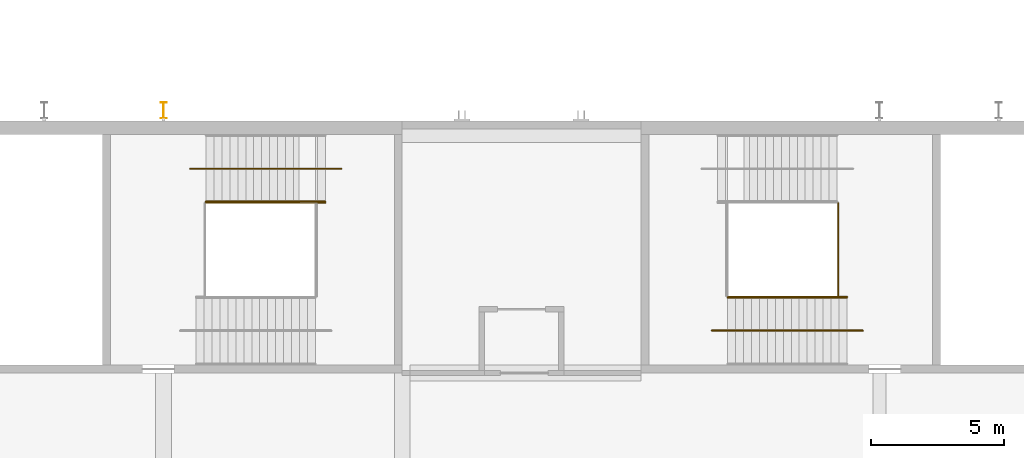
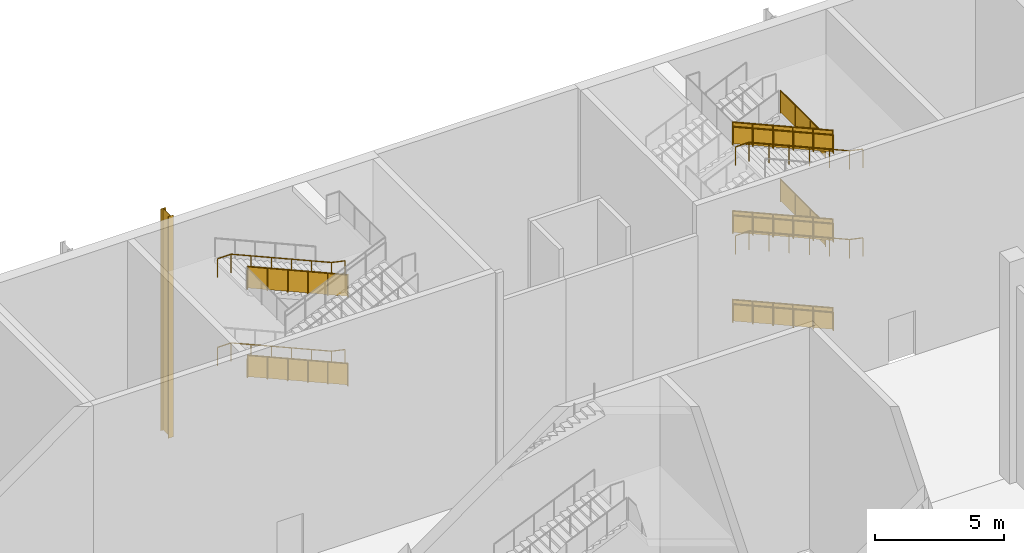
# One storey, part 176 of 182: 16 railings, 1 shading device.
"""IFC4 building model written with IfcOpenShell, lengths in metres."""

from ifc_helpers import new_model, si_unit, direction, frame, origin, origin_2d, place, context, subcontext, project, spatial, polyline, circle, i_section, outline, extrude, material, material_profile, profile_set, type_object, element, save


model = new_model("IFC4")

# Units and contexts
model_context = context("Model", 3, precision=1e-05, world=origin(), true_north=direction((0.0, 1.0)))
body_context = subcontext(model_context, "Body", "Model", "MODEL_VIEW")
ifc_project = project(units=[si_unit("LENGTHUNIT", "METRE"), si_unit("AREAUNIT", "SQUARE_METRE"), si_unit("VOLUMEUNIT", "CUBIC_METRE"), si_unit("PLANEANGLEUNIT", "RADIAN"), si_unit("MASSUNIT", "GRAM", prefix="KILO")], contexts=[model_context])

# Site, building, storey
site_placement = place(None, origin())
site = spatial("IfcSite", under=ifc_project, at=site_placement, CompositionType="ELEMENT")
building_placement = place(site_placement, origin())
building = spatial("IfcBuilding", under=site, at=building_placement, Name="Silverbay Arena", CompositionType="ELEMENT")
storey_placement = place(building_placement, frame((0.0, 0.0, 11.5)))
storey = spatial("IfcBuildingStorey", under=building, at=storey_placement, Name="L02", CompositionType="ELEMENT", Elevation=11.5)

# Railings
ifc_material_1 = material(Name="Stainless steel", Category="steel")
railing_type_1 = type_object("IfcRailingType", Name="Stair guard 1100", PredefinedType="GUARDRAIL", material=ifc_material_1)
railing_1_placement = place(storey_placement, frame((177.10009765625, 141.425048828125, 2.231201171875)))
element("IfcRailing", 1, at=railing_1_placement, inside=storey, type_object=railing_type_1, Name="Stair ST-N4 L02 to L03 flight 2 guard left", PredefinedType="GUARDRAIL", context=body_context, shape_type="SweptSolid", body=[
    extrude(circle(Radius=0.02392578125, at=origin_2d()), frame((0.0, 0.0, 1.076171875), z_axis=(-0.916157334902, 0.0, 0.40081883402), x_axis=(0.0, -1.0, 0.0)), (0.0, 0.0, 1.0), 4.911865234375),
    extrude(outline(polyline([(-0.008056640625, 0.04638671875), (0.907958984375, 0.447265625), (0.907958984375, 1.4501953125), (-0.008056640625, 1.049560546875), (-0.008056640625, 0.04638671875)])), frame((0.0, -0.0029296875, 0.0), z_axis=(0.0, 1.0, 0.0), x_axis=(-1.0, 0.0, 0.0)), (0.0, 0.0, 1.0), 0.006103515625),
    extrude(outline(polyline([(-0.008056640625, 0.440185546875), (0.907958984375, 0.841064453125), (0.907958984375, 1.843994140625), (-0.008056640625, 1.443359375), (-0.008056640625, 0.440185546875)])), frame((-0.89990234375, -0.0029296875, 0.0), z_axis=(0.0, 1.0, 0.0), x_axis=(-1.0, 0.0, 0.0)), (0.0, 0.0, 1.0), 0.006103515625),
    extrude(outline(polyline([(-0.008056640625, 0.833984375), (0.907958984375, 1.23486328125), (0.907958984375, 2.23779296875), (-0.008056640625, 1.8369140625), (-0.008056640625, 0.833984375)])), frame((-1.800048828125, -0.0029296875, 0.0), z_axis=(0.0, 1.0, 0.0), x_axis=(-1.0, 0.0, 0.0)), (0.0, 0.0, 1.0), 0.006103515625),
    extrude(outline(polyline([(-0.008056640625, 1.227783203125), (0.907958984375, 1.62841796875), (0.907958984375, 2.631591796875), (-0.008056640625, 2.230712890625), (-0.008056640625, 1.227783203125)])), frame((-2.699951171875, -0.0029296875, 0.0), z_axis=(0.0, 1.0, 0.0), x_axis=(-1.0, 0.0, 0.0)), (0.0, 0.0, 1.0), 0.006103515625),
    extrude(outline(polyline([(-0.008056640625, 1.62158203125), (0.907958984375, 2.022216796875), (0.907958984375, 3.025146484375), (-0.008056640625, 2.62451171875), (-0.008056640625, 1.62158203125)])), frame((-3.60009765625, -0.0029296875, 0.0), z_axis=(0.0, 1.0, 0.0), x_axis=(-1.0, 0.0, 0.0)), (0.0, 0.0, 1.0), 0.006103515625),
    extrude(circle(Radius=0.02099609375, at=origin_2d()), origin(), (0.0, 0.0, 1.0), 1.052001953125),
    extrude(circle(Radius=0.02099609375, at=origin_2d()), frame((-0.89990234375, 0.0, 0.393798828125)), (0.0, 0.0, 1.0), 1.052001953125),
    extrude(circle(Radius=0.02099609375, at=origin_2d()), frame((-1.800048828125, 0.0, 0.78759765625)), (0.0, 0.0, 1.0), 1.052001953125),
    extrude(circle(Radius=0.02099609375, at=origin_2d()), frame((-2.699951171875, 0.0, 1.18115234375)), (0.0, 0.0, 1.0), 1.052001953125),
    extrude(circle(Radius=0.02099609375, at=origin_2d()), frame((-3.60009765625, 0.0, 1.574951171875)), (0.0, 0.0, 1.0), 1.052001953125),
    extrude(circle(Radius=0.02099609375, at=origin_2d()), frame((-4.5, 0.0, 1.96875)), (0.0, 0.0, 1.0), 1.052001953125),
])
railing_2_placement = place(storey_placement, frame((177.10009765625, 141.425048828125, 6.43115234375)))
element("IfcRailing", 2, at=railing_2_placement, inside=storey, type_object=railing_type_1, Name="Stair ST-N4 L02 to L03 flight 4 guard left", PredefinedType="GUARDRAIL", context=body_context, shape_type="SweptSolid", body=[
    extrude(circle(Radius=0.02392578125, at=origin_2d()), frame((0.0, 0.0, 1.076171875), z_axis=(-0.916157334902, 0.0, 0.40081883402), x_axis=(0.0, -1.0, 0.0)), (0.0, 0.0, 1.0), 4.911865234375),
    extrude(outline(polyline([(-0.008056640625, 0.04638671875), (0.907958984375, 0.447265625), (0.907958984375, 1.4501953125), (-0.008056640625, 1.049560546875), (-0.008056640625, 0.04638671875)])), frame((0.0, -0.0029296875, 0.0), z_axis=(0.0, 1.0, 0.0), x_axis=(-1.0, 0.0, 0.0)), (0.0, 0.0, 1.0), 0.006103515625),
    extrude(outline(polyline([(-0.008056640625, 0.440185546875), (0.907958984375, 0.841064453125), (0.907958984375, 1.843994140625), (-0.008056640625, 1.443359375), (-0.008056640625, 0.440185546875)])), frame((-0.89990234375, -0.0029296875, 0.0), z_axis=(0.0, 1.0, 0.0), x_axis=(-1.0, 0.0, 0.0)), (0.0, 0.0, 1.0), 0.006103515625),
    extrude(outline(polyline([(-0.008056640625, 0.833984375), (0.907958984375, 1.23486328125), (0.907958984375, 2.23779296875), (-0.008056640625, 1.8369140625), (-0.008056640625, 0.833984375)])), frame((-1.800048828125, -0.0029296875, 0.0), z_axis=(0.0, 1.0, 0.0), x_axis=(-1.0, 0.0, 0.0)), (0.0, 0.0, 1.0), 0.006103515625),
    extrude(outline(polyline([(-0.008056640625, 1.227783203125), (0.907958984375, 1.62841796875), (0.907958984375, 2.631591796875), (-0.008056640625, 2.230712890625), (-0.008056640625, 1.227783203125)])), frame((-2.699951171875, -0.0029296875, 0.0), z_axis=(0.0, 1.0, 0.0), x_axis=(-1.0, 0.0, 0.0)), (0.0, 0.0, 1.0), 0.006103515625),
    extrude(outline(polyline([(-0.008056640625, 1.62158203125), (0.907958984375, 2.022216796875), (0.907958984375, 3.025146484375), (-0.008056640625, 2.62451171875), (-0.008056640625, 1.62158203125)])), frame((-3.60009765625, -0.0029296875, 0.0), z_axis=(0.0, 1.0, 0.0), x_axis=(-1.0, 0.0, 0.0)), (0.0, 0.0, 1.0), 0.006103515625),
    extrude(circle(Radius=0.02099609375, at=origin_2d()), origin(), (0.0, 0.0, 1.0), 1.052001953125),
    extrude(circle(Radius=0.02099609375, at=origin_2d()), frame((-0.89990234375, 0.0, 0.393798828125)), (0.0, 0.0, 1.0), 1.052001953125),
    extrude(circle(Radius=0.02099609375, at=origin_2d()), frame((-1.800048828125, 0.0, 0.78759765625)), (0.0, 0.0, 1.0), 1.052001953125),
    extrude(circle(Radius=0.02099609375, at=origin_2d()), frame((-2.699951171875, 0.0, 1.18115234375)), (0.0, 0.0, 1.0), 1.052001953125),
    extrude(circle(Radius=0.02099609375, at=origin_2d()), frame((-3.60009765625, 0.0, 1.574951171875)), (0.0, 0.0, 1.0), 1.052001953125),
    extrude(circle(Radius=0.02099609375, at=origin_2d()), frame((-4.5, 0.0, 1.96875)), (0.0, 0.0, 1.0), 1.052001953125),
])
railing_3_placement = place(storey_placement, frame((196.774169921875, 137.875, 0.13134765625)))
element("IfcRailing", 3, at=railing_3_placement, inside=storey, type_object=railing_type_1, Name="Stair ST-N6 L02 to L03 flight 1 guard right", PredefinedType="GUARDRAIL", context=body_context, shape_type="SweptSolid", body=[
    extrude(circle(Radius=0.02392578125, at=origin_2d()), frame((0.0, 0.0, 1.076171875), z_axis=(-0.916157334902, 0.0, 0.40081883402), x_axis=(0.0, -1.0, 0.0)), (0.0, 0.0, 1.0), 4.911865234375),
    extrude(outline(polyline([(-0.008056640625, 0.04638671875), (0.907958984375, 0.447265625), (0.907958984375, 1.4501953125), (-0.008056640625, 1.049560546875), (-0.008056640625, 0.04638671875)])), frame((0.0, -0.0029296875, 0.0), z_axis=(0.0, 1.0, 0.0), x_axis=(-1.0, 0.0, 0.0)), (0.0, 0.0, 1.0), 0.006103515625),
    extrude(outline(polyline([(-0.008056640625, 0.440185546875), (0.907958984375, 0.841064453125), (0.907958984375, 1.843994140625), (-0.008056640625, 1.443359375), (-0.008056640625, 0.440185546875)])), frame((-0.89990234375, -0.0029296875, 0.0), z_axis=(0.0, 1.0, 0.0), x_axis=(-1.0, 0.0, 0.0)), (0.0, 0.0, 1.0), 0.006103515625),
    extrude(outline(polyline([(-0.008056640625, 0.833984375), (0.907958984375, 1.23486328125), (0.907958984375, 2.23779296875), (-0.008056640625, 1.8369140625), (-0.008056640625, 0.833984375)])), frame((-1.800048828125, -0.0029296875, 0.0), z_axis=(0.0, 1.0, 0.0), x_axis=(-1.0, 0.0, 0.0)), (0.0, 0.0, 1.0), 0.006103515625),
    extrude(outline(polyline([(-0.008056640625, 1.227783203125), (0.907958984375, 1.62841796875), (0.907958984375, 2.631591796875), (-0.008056640625, 2.230712890625), (-0.008056640625, 1.227783203125)])), frame((-2.699951171875, -0.0029296875, 0.0), z_axis=(0.0, 1.0, 0.0), x_axis=(-1.0, 0.0, 0.0)), (0.0, 0.0, 1.0), 0.006103515625),
    extrude(outline(polyline([(-0.008056640625, 1.62158203125), (0.907958984375, 2.022216796875), (0.907958984375, 3.025146484375), (-0.008056640625, 2.62451171875), (-0.008056640625, 1.62158203125)])), frame((-3.60009765625, -0.0029296875, 0.0), z_axis=(0.0, 1.0, 0.0), x_axis=(-1.0, 0.0, 0.0)), (0.0, 0.0, 1.0), 0.006103515625),
    extrude(circle(Radius=0.02099609375, at=origin_2d()), origin(), (0.0, 0.0, 1.0), 1.052001953125),
    extrude(circle(Radius=0.02099609375, at=origin_2d()), frame((-0.89990234375, 0.0, 0.393798828125)), (0.0, 0.0, 1.0), 1.052001953125),
    extrude(circle(Radius=0.02099609375, at=origin_2d()), frame((-1.800048828125, 0.0, 0.78759765625)), (0.0, 0.0, 1.0), 1.052001953125),
    extrude(circle(Radius=0.02099609375, at=origin_2d()), frame((-2.699951171875, 0.0, 1.18115234375)), (0.0, 0.0, 1.0), 1.052001953125),
    extrude(circle(Radius=0.02099609375, at=origin_2d()), frame((-3.60009765625, 0.0, 1.574951171875)), (0.0, 0.0, 1.0), 1.052001953125),
    extrude(circle(Radius=0.02099609375, at=origin_2d()), frame((-4.5, 0.0, 1.96875)), (0.0, 0.0, 1.0), 1.052001953125),
])
railing_4_placement = place(storey_placement, frame((196.774169921875, 137.875, 4.331298828125)))
element("IfcRailing", 4, at=railing_4_placement, inside=storey, type_object=railing_type_1, Name="Stair ST-N6 L02 to L03 flight 3 guard right", PredefinedType="GUARDRAIL", context=body_context, shape_type="SweptSolid", body=[
    extrude(circle(Radius=0.02392578125, at=origin_2d()), frame((0.0, 0.0, 1.076171875), z_axis=(-0.916157334902, 0.0, 0.40081883402), x_axis=(0.0, -1.0, 0.0)), (0.0, 0.0, 1.0), 4.911865234375),
    extrude(outline(polyline([(-0.008056640625, 0.04638671875), (0.907958984375, 0.447265625), (0.907958984375, 1.4501953125), (-0.008056640625, 1.049560546875), (-0.008056640625, 0.04638671875)])), frame((0.0, -0.0029296875, 0.0), z_axis=(0.0, 1.0, 0.0), x_axis=(-1.0, 0.0, 0.0)), (0.0, 0.0, 1.0), 0.006103515625),
    extrude(outline(polyline([(-0.008056640625, 0.440185546875), (0.907958984375, 0.841064453125), (0.907958984375, 1.843994140625), (-0.008056640625, 1.443359375), (-0.008056640625, 0.440185546875)])), frame((-0.89990234375, -0.0029296875, 0.0), z_axis=(0.0, 1.0, 0.0), x_axis=(-1.0, 0.0, 0.0)), (0.0, 0.0, 1.0), 0.006103515625),
    extrude(outline(polyline([(-0.008056640625, 0.833984375), (0.907958984375, 1.23486328125), (0.907958984375, 2.23779296875), (-0.008056640625, 1.8369140625), (-0.008056640625, 0.833984375)])), frame((-1.800048828125, -0.0029296875, 0.0), z_axis=(0.0, 1.0, 0.0), x_axis=(-1.0, 0.0, 0.0)), (0.0, 0.0, 1.0), 0.006103515625),
    extrude(outline(polyline([(-0.008056640625, 1.227783203125), (0.907958984375, 1.62841796875), (0.907958984375, 2.631591796875), (-0.008056640625, 2.230712890625), (-0.008056640625, 1.227783203125)])), frame((-2.699951171875, -0.0029296875, 0.0), z_axis=(0.0, 1.0, 0.0), x_axis=(-1.0, 0.0, 0.0)), (0.0, 0.0, 1.0), 0.006103515625),
    extrude(outline(polyline([(-0.008056640625, 1.62158203125), (0.907958984375, 2.022216796875), (0.907958984375, 3.025146484375), (-0.008056640625, 2.62451171875), (-0.008056640625, 1.62158203125)])), frame((-3.60009765625, -0.0029296875, 0.0), z_axis=(0.0, 1.0, 0.0), x_axis=(-1.0, 0.0, 0.0)), (0.0, 0.0, 1.0), 0.006103515625),
    extrude(circle(Radius=0.02099609375, at=origin_2d()), origin(), (0.0, 0.0, 1.0), 1.052001953125),
    extrude(circle(Radius=0.02099609375, at=origin_2d()), frame((-0.89990234375, 0.0, 0.393798828125)), (0.0, 0.0, 1.0), 1.052001953125),
    extrude(circle(Radius=0.02099609375, at=origin_2d()), frame((-1.800048828125, 0.0, 0.78759765625)), (0.0, 0.0, 1.0), 1.052001953125),
    extrude(circle(Radius=0.02099609375, at=origin_2d()), frame((-2.699951171875, 0.0, 1.18115234375)), (0.0, 0.0, 1.0), 1.052001953125),
    extrude(circle(Radius=0.02099609375, at=origin_2d()), frame((-3.60009765625, 0.0, 1.574951171875)), (0.0, 0.0, 1.0), 1.052001953125),
    extrude(circle(Radius=0.02099609375, at=origin_2d()), frame((-4.5, 0.0, 1.96875)), (0.0, 0.0, 1.0), 1.052001953125),
])
railing_5_placement = place(storey_placement, frame((196.774169921875, 137.875, 8.53125)))
element("IfcRailing", 5, at=railing_5_placement, inside=storey, type_object=railing_type_1, Name="Stair ST-N6 L02 to L03 flight 5 guard right", PredefinedType="GUARDRAIL", context=body_context, shape_type="SweptSolid", body=[
    extrude(circle(Radius=0.02392578125, at=origin_2d()), frame((0.0, 0.0, 1.076171875), z_axis=(-0.916157334902, 0.0, 0.40081883402), x_axis=(0.0, -1.0, 0.0)), (0.0, 0.0, 1.0), 4.911865234375),
    extrude(outline(polyline([(-0.008056640625, 0.04638671875), (0.907958984375, 0.447265625), (0.907958984375, 1.4501953125), (-0.008056640625, 1.049560546875), (-0.008056640625, 0.04638671875)])), frame((0.0, -0.0029296875, 0.0), z_axis=(0.0, 1.0, 0.0), x_axis=(-1.0, 0.0, 0.0)), (0.0, 0.0, 1.0), 0.006103515625),
    extrude(outline(polyline([(-0.008056640625, 0.440185546875), (0.907958984375, 0.841064453125), (0.907958984375, 1.843994140625), (-0.008056640625, 1.443359375), (-0.008056640625, 0.440185546875)])), frame((-0.89990234375, -0.0029296875, 0.0), z_axis=(0.0, 1.0, 0.0), x_axis=(-1.0, 0.0, 0.0)), (0.0, 0.0, 1.0), 0.006103515625),
    extrude(outline(polyline([(-0.008056640625, 0.833984375), (0.907958984375, 1.23486328125), (0.907958984375, 2.23779296875), (-0.008056640625, 1.8369140625), (-0.008056640625, 0.833984375)])), frame((-1.800048828125, -0.0029296875, 0.0), z_axis=(0.0, 1.0, 0.0), x_axis=(-1.0, 0.0, 0.0)), (0.0, 0.0, 1.0), 0.006103515625),
    extrude(outline(polyline([(-0.008056640625, 1.227783203125), (0.907958984375, 1.62841796875), (0.907958984375, 2.631591796875), (-0.008056640625, 2.230712890625), (-0.008056640625, 1.227783203125)])), frame((-2.699951171875, -0.0029296875, 0.0), z_axis=(0.0, 1.0, 0.0), x_axis=(-1.0, 0.0, 0.0)), (0.0, 0.0, 1.0), 0.006103515625),
    extrude(outline(polyline([(-0.008056640625, 1.62158203125), (0.907958984375, 2.022216796875), (0.907958984375, 3.025146484375), (-0.008056640625, 2.62451171875), (-0.008056640625, 1.62158203125)])), frame((-3.60009765625, -0.0029296875, 0.0), z_axis=(0.0, 1.0, 0.0), x_axis=(-1.0, 0.0, 0.0)), (0.0, 0.0, 1.0), 0.006103515625),
    extrude(circle(Radius=0.02099609375, at=origin_2d()), origin(), (0.0, 0.0, 1.0), 1.052001953125),
    extrude(circle(Radius=0.02099609375, at=origin_2d()), frame((-0.89990234375, 0.0, 0.393798828125)), (0.0, 0.0, 1.0), 1.052001953125),
    extrude(circle(Radius=0.02099609375, at=origin_2d()), frame((-1.800048828125, 0.0, 0.78759765625)), (0.0, 0.0, 1.0), 1.052001953125),
    extrude(circle(Radius=0.02099609375, at=origin_2d()), frame((-2.699951171875, 0.0, 1.18115234375)), (0.0, 0.0, 1.0), 1.052001953125),
    extrude(circle(Radius=0.02099609375, at=origin_2d()), frame((-3.60009765625, 0.0, 1.574951171875)), (0.0, 0.0, 1.0), 1.052001953125),
    extrude(circle(Radius=0.02099609375, at=origin_2d()), frame((-4.5, 0.0, 1.96875)), (0.0, 0.0, 1.0), 1.052001953125),
])
for number, where, name in (
    (6, (196.449951171875, 137.89990234375, 4.199951171875), "Stair ST-N6 L02 to L03 landing 2 guard"),
    (7, (196.449951171875, 137.89990234375, 8.39990234375), "Stair ST-N6 L02 to L03 landing 4 guard"),
):
    element("IfcRailing", number, at=place(storey_placement, frame(where)), inside=storey, type_object=railing_type_1, Name=name, PredefinedType="GUARDRAIL", context=body_context, shape_type="SweptSolid", body=[
        extrude(circle(Radius=0.02392578125, at=origin_2d()), frame((0.0, 0.0, 1.076171875), z_axis=(0.0, 1.0, 0.0), x_axis=(-1.0, 0.0, 0.0)), (0.0, 0.0, 1.0), 3.5),
        extrude(outline(polyline([(-0.008056640625, 0.050048828125), (1.174560546875, 0.050048828125), (1.174560546875, 1.052978515625), (-0.008056640625, 1.052978515625), (-0.008056640625, 0.050048828125)])), frame((-0.0029296875, 0.0, 0.0), z_axis=(1.0, 0.0, 0.0), x_axis=(0.0, 1.0, 0.0)), (0.0, 0.0, 1.0), 0.006103515625),
        extrude(outline(polyline([(-0.008056640625, 0.050048828125), (1.174560546875, 0.050048828125), (1.174560546875, 1.052978515625), (-0.008056640625, 1.052978515625), (-0.008056640625, 0.050048828125)])), frame((-0.0029296875, 1.166748046875, 0.0), z_axis=(1.0, 0.0, 0.0), x_axis=(0.0, 1.0, 0.0)), (0.0, 0.0, 1.0), 0.006103515625),
        extrude(outline(polyline([(-0.008056640625, 0.050048828125), (1.174560546875, 0.050048828125), (1.174560546875, 1.052978515625), (-0.008056640625, 1.052978515625), (-0.008056640625, 0.050048828125)])), frame((-0.0029296875, 2.333251953125, 0.0), z_axis=(1.0, 0.0, 0.0), x_axis=(0.0, 1.0, 0.0)), (0.0, 0.0, 1.0), 0.006103515625),
        extrude(circle(Radius=0.02099609375, at=origin_2d()), origin(), (0.0, 0.0, 1.0), 1.052001953125),
        extrude(circle(Radius=0.02099609375, at=origin_2d()), frame((0.0, 1.166748046875, 0.0)), (0.0, 0.0, 1.0), 1.052001953125),
        extrude(circle(Radius=0.02099609375, at=origin_2d()), frame((0.0, 2.333251953125, 0.0)), (0.0, 0.0, 1.0), 1.052001953125),
        extrude(circle(Radius=0.02099609375, at=origin_2d()), frame((0.0, 3.5, 0.0)), (0.0, 0.0, 1.0), 1.052001953125),
    ])
ifc_material_2 = material(Name="Stainless steel", Category="steel")
railing_type_2 = type_object("IfcRailingType", Name="Stair handrail 900", PredefinedType="HANDRAIL", material=ifc_material_2)
railing_6_placement = place(storey_placement, frame((177.10009765625, 141.464111328125, 2.231201171875)))
element("IfcRailing", 8, at=railing_6_placement, inside=storey, type_object=railing_type_2, Name="Stair ST-N4 L02 to L03 flight 2 handrail left", PredefinedType="HANDRAIL", context=body_context, shape_type="SweptSolid", body=[
    extrude(circle(Radius=0.02392578125, at=origin_2d()), frame((0.0, 0.0, 0.8759765625), z_axis=(-0.916157334902, 0.0, 0.40081883402), x_axis=(0.0, -1.0, 0.0)), (0.0, 0.0, 1.0), 4.911865234375),
    extrude(circle(Radius=0.02099609375, at=origin_2d()), origin(), (0.0, 0.0, 1.0), 0.851806640625),
    extrude(circle(Radius=0.02099609375, at=origin_2d()), frame((-0.89990234375, 0.0, 0.393798828125)), (0.0, 0.0, 1.0), 0.851806640625),
    extrude(circle(Radius=0.02099609375, at=origin_2d()), frame((-1.800048828125, 0.0, 0.78759765625)), (0.0, 0.0, 1.0), 0.851806640625),
    extrude(circle(Radius=0.02099609375, at=origin_2d()), frame((-2.699951171875, 0.0, 1.18115234375)), (0.0, 0.0, 1.0), 0.851806640625),
    extrude(circle(Radius=0.02099609375, at=origin_2d()), frame((-3.60009765625, 0.0, 1.574951171875)), (0.0, 0.0, 1.0), 0.851806640625),
    extrude(circle(Radius=0.02099609375, at=origin_2d()), frame((-4.5, 0.0, 1.96875)), (0.0, 0.0, 1.0), 0.851806640625),
])
railing_7_placement = place(storey_placement, frame((177.699951171875, 142.699951171875, 2.10009765625)))
element("IfcRailing", 9, at=railing_7_placement, inside=storey, type_object=railing_type_2, Name="Stair ST-N4 L02 to L03 flight 2 central handrail", PredefinedType="HANDRAIL", context=body_context, shape_type="SweptSolid", body=[
    extrude(circle(Radius=0.02392578125, at=origin_2d()), frame((0.0, 0.0, 0.8759765625), z_axis=(-0.976938910361, 0.0, 0.213519004829), x_axis=(0.0, -1.0, 0.0)), (0.0, 0.0, 1.0), 0.614013671875),
    extrude(circle(Radius=0.02392578125, at=origin_2d()), frame((-0.599853515625, 0.0, 1.0068359375), z_axis=(-0.916157334902, 0.0, 0.40081883402), x_axis=(0.0, -1.0, 0.0)), (0.0, 0.0, 1.0), 4.911865234375),
    extrude(circle(Radius=0.02392578125, at=origin_2d()), frame((-5.099853515625, 0.0, 2.9755859375), z_axis=(-1.0, 0.0, 0.0), x_axis=(0.0, -1.0, 0.0)), (0.0, 0.0, 1.0), 0.60009765625),
    extrude(circle(Radius=0.02099609375, at=origin_2d()), origin(), (0.0, 0.0, 1.0), 0.851806640625),
    extrude(circle(Radius=0.02099609375, at=origin_2d()), frame((-0.599853515625, 0.0, 0.131103515625)), (0.0, 0.0, 1.0), 0.851806640625),
    extrude(circle(Radius=0.02099609375, at=origin_2d()), frame((-1.499755859375, 0.0, 0.52490234375)), (0.0, 0.0, 1.0), 0.851806640625),
    extrude(circle(Radius=0.02099609375, at=origin_2d()), frame((-2.39990234375, 0.0, 0.918701171875)), (0.0, 0.0, 1.0), 0.851806640625),
    extrude(circle(Radius=0.02099609375, at=origin_2d()), frame((-3.2998046875, 0.0, 1.312255859375)), (0.0, 0.0, 1.0), 0.851806640625),
    extrude(circle(Radius=0.02099609375, at=origin_2d()), frame((-4.199951171875, 0.0, 1.7060546875)), (0.0, 0.0, 1.0), 0.851806640625),
    extrude(circle(Radius=0.02099609375, at=origin_2d()), frame((-5.099853515625, 0.0, 2.099853515625)), (0.0, 0.0, 1.0), 0.851806640625),
    extrude(circle(Radius=0.02099609375, at=origin_2d()), frame((-5.699951171875, 0.0, 2.099853515625)), (0.0, 0.0, 1.0), 0.851806640625),
])
railing_8_placement = place(storey_placement, frame((177.10009765625, 141.464111328125, 6.43115234375)))
element("IfcRailing", 10, at=railing_8_placement, inside=storey, type_object=railing_type_2, Name="Stair ST-N4 L02 to L03 flight 4 handrail left", PredefinedType="HANDRAIL", context=body_context, shape_type="SweptSolid", body=[
    extrude(circle(Radius=0.02392578125, at=origin_2d()), frame((0.0, 0.0, 0.8759765625), z_axis=(-0.916157334902, 0.0, 0.40081883402), x_axis=(0.0, -1.0, 0.0)), (0.0, 0.0, 1.0), 4.911865234375),
    extrude(circle(Radius=0.02099609375, at=origin_2d()), origin(), (0.0, 0.0, 1.0), 0.851806640625),
    extrude(circle(Radius=0.02099609375, at=origin_2d()), frame((-0.89990234375, 0.0, 0.393798828125)), (0.0, 0.0, 1.0), 0.851806640625),
    extrude(circle(Radius=0.02099609375, at=origin_2d()), frame((-1.800048828125, 0.0, 0.78759765625)), (0.0, 0.0, 1.0), 0.851806640625),
    extrude(circle(Radius=0.02099609375, at=origin_2d()), frame((-2.699951171875, 0.0, 1.18115234375)), (0.0, 0.0, 1.0), 0.851806640625),
    extrude(circle(Radius=0.02099609375, at=origin_2d()), frame((-3.60009765625, 0.0, 1.574951171875)), (0.0, 0.0, 1.0), 0.851806640625),
    extrude(circle(Radius=0.02099609375, at=origin_2d()), frame((-4.5, 0.0, 1.96875)), (0.0, 0.0, 1.0), 0.851806640625),
])
railing_9_placement = place(storey_placement, frame((177.699951171875, 142.699951171875, 6.300048828125)))
element("IfcRailing", 11, at=railing_9_placement, inside=storey, type_object=railing_type_2, Name="Stair ST-N4 L02 to L03 flight 4 central handrail", PredefinedType="HANDRAIL", context=body_context, shape_type="SweptSolid", body=[
    extrude(circle(Radius=0.02392578125, at=origin_2d()), frame((0.0, 0.0, 0.8759765625), z_axis=(-0.976938910361, 0.0, 0.213519004829), x_axis=(0.0, -1.0, 0.0)), (0.0, 0.0, 1.0), 0.614013671875),
    extrude(circle(Radius=0.02392578125, at=origin_2d()), frame((-0.599853515625, 0.0, 1.0068359375), z_axis=(-0.916157334902, 0.0, 0.40081883402), x_axis=(0.0, -1.0, 0.0)), (0.0, 0.0, 1.0), 4.911865234375),
    extrude(circle(Radius=0.02392578125, at=origin_2d()), frame((-5.099853515625, 0.0, 2.9755859375), z_axis=(-1.0, 0.0, 0.0), x_axis=(0.0, -1.0, 0.0)), (0.0, 0.0, 1.0), 0.60009765625),
    extrude(circle(Radius=0.02099609375, at=origin_2d()), origin(), (0.0, 0.0, 1.0), 0.851806640625),
    extrude(circle(Radius=0.02099609375, at=origin_2d()), frame((-0.599853515625, 0.0, 0.131103515625)), (0.0, 0.0, 1.0), 0.851806640625),
    extrude(circle(Radius=0.02099609375, at=origin_2d()), frame((-1.499755859375, 0.0, 0.52490234375)), (0.0, 0.0, 1.0), 0.851806640625),
    extrude(circle(Radius=0.02099609375, at=origin_2d()), frame((-2.39990234375, 0.0, 0.918701171875)), (0.0, 0.0, 1.0), 0.851806640625),
    extrude(circle(Radius=0.02099609375, at=origin_2d()), frame((-3.2998046875, 0.0, 1.312255859375)), (0.0, 0.0, 1.0), 0.851806640625),
    extrude(circle(Radius=0.02099609375, at=origin_2d()), frame((-4.199951171875, 0.0, 1.7060546875)), (0.0, 0.0, 1.0), 0.851806640625),
    extrude(circle(Radius=0.02099609375, at=origin_2d()), frame((-5.099853515625, 0.0, 2.099853515625)), (0.0, 0.0, 1.0), 0.851806640625),
    extrude(circle(Radius=0.02099609375, at=origin_2d()), frame((-5.699951171875, 0.0, 2.099853515625)), (0.0, 0.0, 1.0), 0.851806640625),
])
for number, where, name in (
    (12, (196.774169921875, 137.8359375, 0.13134765625), "Stair ST-N6 L02 to L03 flight 1 handrail right"),
    (13, (196.774169921875, 137.8359375, 4.331298828125), "Stair ST-N6 L02 to L03 flight 3 handrail right"),
):
    element("IfcRailing", number, at=place(storey_placement, frame(where)), inside=storey, type_object=railing_type_2, Name=name, PredefinedType="HANDRAIL", context=body_context, shape_type="SweptSolid", body=[
        extrude(circle(Radius=0.02392578125, at=origin_2d()), frame((0.0, 0.0, 0.8759765625), z_axis=(-0.916157334902, 0.0, 0.40081883402), x_axis=(0.0, -1.0, 0.0)), (0.0, 0.0, 1.0), 4.911865234375),
        extrude(circle(Radius=0.02099609375, at=origin_2d()), origin(), (0.0, 0.0, 1.0), 0.851806640625),
        extrude(circle(Radius=0.02099609375, at=origin_2d()), frame((-0.89990234375, 0.0, 0.393798828125)), (0.0, 0.0, 1.0), 0.851806640625),
        extrude(circle(Radius=0.02099609375, at=origin_2d()), frame((-1.800048828125, 0.0, 0.78759765625)), (0.0, 0.0, 1.0), 0.851806640625),
        extrude(circle(Radius=0.02099609375, at=origin_2d()), frame((-2.699951171875, 0.0, 1.18115234375)), (0.0, 0.0, 1.0), 0.851806640625),
        extrude(circle(Radius=0.02099609375, at=origin_2d()), frame((-3.60009765625, 0.0, 1.574951171875)), (0.0, 0.0, 1.0), 0.851806640625),
        extrude(circle(Radius=0.02099609375, at=origin_2d()), frame((-4.5, 0.0, 1.96875)), (0.0, 0.0, 1.0), 0.851806640625),
    ])
railing_10_placement = place(storey_placement, frame((197.374267578125, 136.60009765625, 4.199951171875)))
element("IfcRailing", 14, at=railing_10_placement, inside=storey, type_object=railing_type_2, Name="Stair ST-N6 L02 to L03 flight 3 central handrail", PredefinedType="HANDRAIL", context=body_context, shape_type="SweptSolid", body=[
    extrude(circle(Radius=0.02392578125, at=origin_2d()), frame((0.0, 0.0, 0.8759765625), z_axis=(-0.976874083041, 0.0, 0.213815401414), x_axis=(0.0, -1.0, 0.0)), (0.0, 0.0, 1.0), 0.6142578125),
    extrude(circle(Radius=0.02392578125, at=origin_2d()), frame((-0.60009765625, 0.0, 1.00732421875), z_axis=(-0.916157334902, 0.0, 0.40081883402), x_axis=(0.0, -1.0, 0.0)), (0.0, 0.0, 1.0), 4.911865234375),
    extrude(circle(Radius=0.02392578125, at=origin_2d()), frame((-5.10009765625, 0.0, 2.97607421875), z_axis=(-1.0, 0.0, 0.0), x_axis=(0.0, -1.0, 0.0)), (0.0, 0.0, 1.0), 0.599853515625),
    extrude(circle(Radius=0.02099609375, at=origin_2d()), origin(), (0.0, 0.0, 1.0), 0.851806640625),
    extrude(circle(Radius=0.02099609375, at=origin_2d()), frame((-0.60009765625, 0.0, 0.13134765625)), (0.0, 0.0, 1.0), 0.851806640625),
    extrude(circle(Radius=0.02099609375, at=origin_2d()), frame((-1.5, 0.0, 0.525146484375)), (0.0, 0.0, 1.0), 0.851806640625),
    extrude(circle(Radius=0.02099609375, at=origin_2d()), frame((-2.400146484375, 0.0, 0.9189453125)), (0.0, 0.0, 1.0), 0.851806640625),
    extrude(circle(Radius=0.02099609375, at=origin_2d()), frame((-3.300048828125, 0.0, 1.3125)), (0.0, 0.0, 1.0), 0.851806640625),
    extrude(circle(Radius=0.02099609375, at=origin_2d()), frame((-4.2001953125, 0.0, 1.706298828125)), (0.0, 0.0, 1.0), 0.851806640625),
    extrude(circle(Radius=0.02099609375, at=origin_2d()), frame((-5.10009765625, 0.0, 2.10009765625)), (0.0, 0.0, 1.0), 0.851806640625),
    extrude(circle(Radius=0.02099609375, at=origin_2d()), frame((-5.699951171875, 0.0, 2.10009765625)), (0.0, 0.0, 1.0), 0.851806640625),
])
railing_11_placement = place(storey_placement, frame((196.774169921875, 137.8359375, 8.53125)))
element("IfcRailing", 15, at=railing_11_placement, inside=storey, type_object=railing_type_2, Name="Stair ST-N6 L02 to L03 flight 5 handrail right", PredefinedType="HANDRAIL", context=body_context, shape_type="SweptSolid", body=[
    extrude(circle(Radius=0.02392578125, at=origin_2d()), frame((0.0, 0.0, 0.8759765625), z_axis=(-0.916157334902, 0.0, 0.40081883402), x_axis=(0.0, -1.0, 0.0)), (0.0, 0.0, 1.0), 4.911865234375),
    extrude(circle(Radius=0.02099609375, at=origin_2d()), origin(), (0.0, 0.0, 1.0), 0.851806640625),
    extrude(circle(Radius=0.02099609375, at=origin_2d()), frame((-0.89990234375, 0.0, 0.393798828125)), (0.0, 0.0, 1.0), 0.851806640625),
    extrude(circle(Radius=0.02099609375, at=origin_2d()), frame((-1.800048828125, 0.0, 0.78759765625)), (0.0, 0.0, 1.0), 0.851806640625),
    extrude(circle(Radius=0.02099609375, at=origin_2d()), frame((-2.699951171875, 0.0, 1.18115234375)), (0.0, 0.0, 1.0), 0.851806640625),
    extrude(circle(Radius=0.02099609375, at=origin_2d()), frame((-3.60009765625, 0.0, 1.574951171875)), (0.0, 0.0, 1.0), 0.851806640625),
    extrude(circle(Radius=0.02099609375, at=origin_2d()), frame((-4.5, 0.0, 1.96875)), (0.0, 0.0, 1.0), 0.851806640625),
])
railing_12_placement = place(storey_placement, frame((197.374267578125, 136.60009765625, 8.39990234375)))
element("IfcRailing", 16, at=railing_12_placement, inside=storey, type_object=railing_type_2, Name="Stair ST-N6 L02 to L03 flight 5 central handrail", PredefinedType="HANDRAIL", context=body_context, shape_type="SweptSolid", body=[
    extrude(circle(Radius=0.02392578125, at=origin_2d()), frame((0.0, 0.0, 0.8759765625), z_axis=(-0.976874083041, 0.0, 0.213815401414), x_axis=(0.0, -1.0, 0.0)), (0.0, 0.0, 1.0), 0.6142578125),
    extrude(circle(Radius=0.02392578125, at=origin_2d()), frame((-0.60009765625, 0.0, 1.00732421875), z_axis=(-0.916157334902, 0.0, 0.40081883402), x_axis=(0.0, -1.0, 0.0)), (0.0, 0.0, 1.0), 4.911865234375),
    extrude(circle(Radius=0.02392578125, at=origin_2d()), frame((-5.10009765625, 0.0, 2.97607421875), z_axis=(-1.0, 0.0, 0.0), x_axis=(0.0, -1.0, 0.0)), (0.0, 0.0, 1.0), 0.599853515625),
    extrude(circle(Radius=0.02099609375, at=origin_2d()), origin(), (0.0, 0.0, 1.0), 0.851806640625),
    extrude(circle(Radius=0.02099609375, at=origin_2d()), frame((-0.60009765625, 0.0, 0.13134765625)), (0.0, 0.0, 1.0), 0.851806640625),
    extrude(circle(Radius=0.02099609375, at=origin_2d()), frame((-1.5, 0.0, 0.525146484375)), (0.0, 0.0, 1.0), 0.851806640625),
    extrude(circle(Radius=0.02099609375, at=origin_2d()), frame((-2.400146484375, 0.0, 0.9189453125)), (0.0, 0.0, 1.0), 0.851806640625),
    extrude(circle(Radius=0.02099609375, at=origin_2d()), frame((-3.300048828125, 0.0, 1.3125)), (0.0, 0.0, 1.0), 0.851806640625),
    extrude(circle(Radius=0.02099609375, at=origin_2d()), frame((-4.2001953125, 0.0, 1.706298828125)), (0.0, 0.0, 1.0), 0.851806640625),
    extrude(circle(Radius=0.02099609375, at=origin_2d()), frame((-5.10009765625, 0.0, 2.10009765625)), (0.0, 0.0, 1.0), 0.851806640625),
    extrude(circle(Radius=0.02099609375, at=origin_2d()), frame((-5.699951171875, 0.0, 2.10009765625)), (0.0, 0.0, 1.0), 0.851806640625),
])

# Shading device
ifc_material_3 = material(Name="Steel S355", Category="steel")
ifc_material_profile = material_profile(ifc_material_3, i_section(OverallWidth=0.2275390625, OverallDepth=0.6025390625, WebThickness=0.010498046875, FlangeThickness=0.014892578125, at=origin_2d()), Name="UB 610x229x101")
ifc_profile_set = profile_set([ifc_material_profile], Name="Steel S355")
shading_device_type = type_object("IfcShadingDeviceType", Name="Steel fin UB 610x229x101", PredefinedType="USERDEFINED", material=ifc_profile_set)
shading_device_placement = place(storey_placement, frame((171.0, 144.9013671875, 0.0), z_axis=(0.0, 0.0, 1.0), x_axis=(1.0, 0.0, 0.0)))
element("IfcShadingDevice", 17, at=shading_device_placement, inside=storey, type_object=shading_device_type, Name="Steel fin N L02 26", ObjectType="FIN", PredefinedType="USERDEFINED", context=body_context, shape_type="SweptSolid", body=[
    extrude(i_section(OverallWidth=0.2275390625, OverallDepth=0.6025390625, WebThickness=0.010498046875, FlangeThickness=0.014892578125, at=origin_2d()), origin(), (0.0, 0.0, 1.0), 10.5),
])

save(model, "model.ifc")
